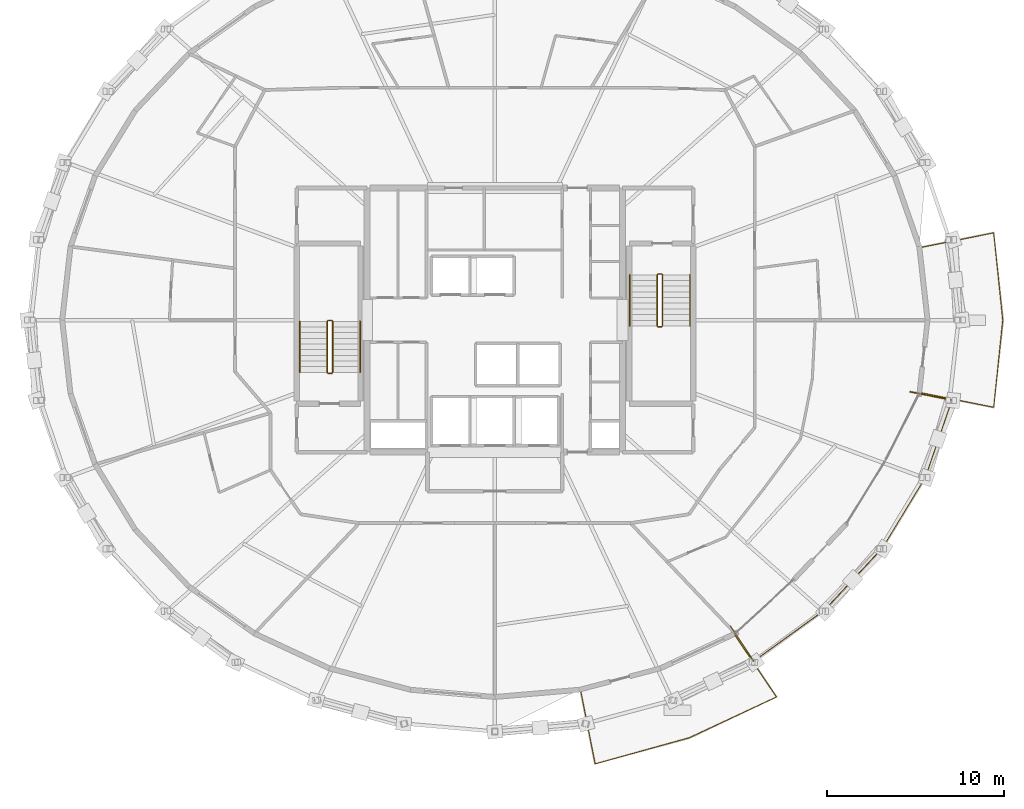
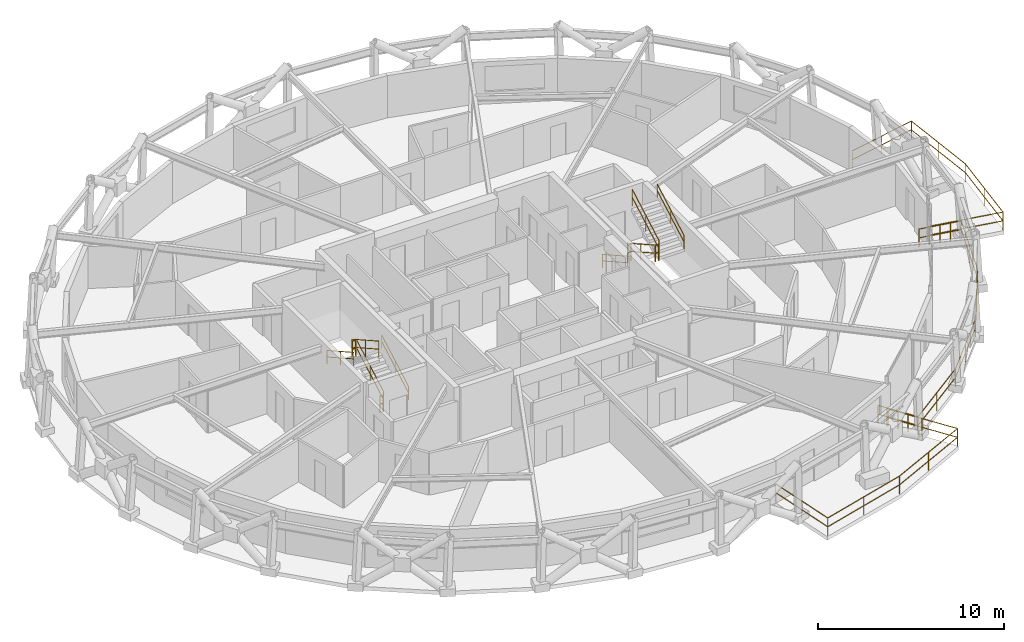
# One storey, part 14 of 14: 17 railings.
"""IFC4 building model written with IfcOpenShell, lengths in metres."""

from ifc_helpers import new_model, si_unit, direction, frame, origin, origin_2d, place, context, subcontext, project, spatial, circle, extrude, material, type_object, element, save


model = new_model("IFC4")

# Units and contexts
model_context = context("Model", 3, precision=1e-05, world=origin(), true_north=direction((0.0, 1.0)))
body_context = subcontext(model_context, "Body", "Model", "MODEL_VIEW")
ifc_project = project(units=[si_unit("LENGTHUNIT", "METRE"), si_unit("AREAUNIT", "SQUARE_METRE"), si_unit("VOLUMEUNIT", "CUBIC_METRE"), si_unit("PLANEANGLEUNIT", "RADIAN"), si_unit("MASSUNIT", "GRAM", prefix="KILO")], contexts=[model_context])

# Site, building, storey
site_placement = place(None, origin())
site = spatial("IfcSite", under=ifc_project, at=site_placement, CompositionType="ELEMENT")
building_placement = place(site_placement, origin())
building = spatial("IfcBuilding", under=site, at=building_placement, Name="Veldorina Hangang Commons", CompositionType="ELEMENT")
storey_placement = place(building_placement, frame((0.0, 0.0, 200.0)))
storey = spatial("IfcBuildingStorey", under=building, at=storey_placement, Name="L52", CompositionType="ELEMENT", Elevation=200.0)

# Railings
ifc_material_1 = material(Name="Glass Laminated Safety Balustrade", Category="glass")
railing_type_1 = type_object("IfcRailingType", Name="RL-BAL-LOGGIA", PredefinedType="BALUSTRADE", material=ifc_material_1)
railing_1_placement = place(storey_placement, frame((45.26953125, 6.760986328125, 0.0)))
element("IfcRailing", 1, at=railing_1_placement, inside=storey, type_object=railing_type_1, Name="L52 sky-garden loggia end balustrade A", PredefinedType="BALUSTRADE", context=body_context, shape_type="SweptSolid", body=[
    extrude(circle(Radius=0.02392578125, at=origin_2d()), frame((0.0, 0.0, 1.17578125), z_axis=(0.552915021628, -0.833237648488, 0.0), x_axis=(0.833237648488, 0.552915021628, 0.0)), (0.0, 0.0, 1.0), 2.400390625),
    extrude(circle(Radius=0.02392578125, at=origin_2d()), frame((0.0, 0.0, 0.60009765625), z_axis=(0.552915021628, -0.833237648488, 0.0), x_axis=(0.833237648488, 0.552915021628, 0.0)), (0.0, 0.0, 1.0), 2.400390625),
    extrude(circle(Radius=0.02099609375, at=origin_2d()), origin(), (0.0, 0.0, 1.0), 1.15185546875),
    extrude(circle(Radius=0.02099609375, at=origin_2d()), frame((0.331787109375, -0.5, 0.0)), (0.0, 0.0, 1.0), 1.15185546875),
    extrude(circle(Radius=0.02099609375, at=origin_2d()), frame((0.66357421875, -1.0, 0.0)), (0.0, 0.0, 1.0), 1.15185546875),
    extrude(circle(Radius=0.02099609375, at=origin_2d()), frame((0.995361328125, -1.5, 0.0)), (0.0, 0.0, 1.0), 1.15185546875),
    extrude(circle(Radius=0.02099609375, at=origin_2d()), frame((1.3271484375, -2.0, 0.0)), (0.0, 0.0, 1.0), 1.15185546875),
])
railing_2_placement = place(storey_placement, frame((55.421875, 19.955810546875, 0.0)))
element("IfcRailing", 2, at=railing_2_placement, inside=storey, type_object=railing_type_1, Name="L52 sky-garden loggia end balustrade B", PredefinedType="BALUSTRADE", context=body_context, shape_type="SweptSolid", body=[
    extrude(circle(Radius=0.02392578125, at=origin_2d()), frame((0.0, 0.0, 1.17578125), z_axis=(0.980537614125, -0.196331320185, 0.0), x_axis=(0.196331320185, 0.980537614125, 0.0)), (0.0, 0.0, 1.0), 2.39990234375),
    extrude(circle(Radius=0.02392578125, at=origin_2d()), frame((0.0, 0.0, 0.60009765625), z_axis=(0.980537614125, -0.196331320185, 0.0), x_axis=(0.196331320185, 0.980537614125, 0.0)), (0.0, 0.0, 1.0), 2.39990234375),
    extrude(circle(Radius=0.02099609375, at=origin_2d()), origin(), (0.0, 0.0, 1.0), 1.15185546875),
    extrude(circle(Radius=0.02099609375, at=origin_2d()), frame((0.58837890625, -0.11767578125, 0.0)), (0.0, 0.0, 1.0), 1.15185546875),
    extrude(circle(Radius=0.02099609375, at=origin_2d()), frame((1.1767578125, -0.235595703125, 0.0)), (0.0, 0.0, 1.0), 1.15185546875),
    extrude(circle(Radius=0.02099609375, at=origin_2d()), frame((1.764892578125, -0.353515625, 0.0)), (0.0, 0.0, 1.0), 1.15185546875),
    extrude(circle(Radius=0.02099609375, at=origin_2d()), frame((2.353271484375, -0.47119140625, 0.0)), (0.0, 0.0, 1.0), 1.15185546875),
])
railing_3_placement = place(storey_placement, frame((46.5966796875, 4.760986328125, 0.0)))
element("IfcRailing", 3, at=railing_3_placement, inside=storey, type_object=railing_type_1, Name="L52 sky-garden loggia outer balustrade", PredefinedType="BALUSTRADE", context=body_context, shape_type="SweptSolid", body=[
    extrude(circle(Radius=0.02392578125, at=origin_2d()), frame((0.0, 0.0, 1.17578125), z_axis=(0.810710676684, 0.585447007602, 0.0), x_axis=(-0.585447007602, 0.810710676684, 0.0)), (0.0, 0.0, 1.0), 4.912841796875),
    extrude(circle(Radius=0.02392578125, at=origin_2d()), frame((0.0, 0.0, 0.60009765625), z_axis=(0.810710676684, 0.585447007602, 0.0), x_axis=(-0.585447007602, 0.810710676684, 0.0)), (0.0, 0.0, 1.0), 4.912841796875),
    extrude(circle(Radius=0.02392578125, at=origin_2d()), frame((3.98291015625, 2.876220703125, 1.17578125), z_axis=(0.682053273276, 0.731302490365, 0.0), x_axis=(-0.731302490365, 0.682053273276, 0.0)), (0.0, 0.0, 1.0), 4.793701171875),
    extrude(circle(Radius=0.02392578125, at=origin_2d()), frame((3.98291015625, 2.876220703125, 0.60009765625), z_axis=(0.682053273276, 0.731302490365, 0.0), x_axis=(-0.731302490365, 0.682053273276, 0.0)), (0.0, 0.0, 1.0), 4.793701171875),
    extrude(circle(Radius=0.02392578125, at=origin_2d()), frame((7.25244140625, 6.3818359375, 1.17578125), z_axis=(0.519106075958, 0.854709823217, 0.0), x_axis=(-0.854709823217, 0.519106075958, 0.0)), (0.0, 0.0, 1.0), 4.680419921875),
    extrude(circle(Radius=0.02392578125, at=origin_2d()), frame((7.25244140625, 6.3818359375, 0.60009765625), z_axis=(0.519106075958, 0.854709823217, 0.0), x_axis=(-0.854709823217, 0.519106075958, 0.0)), (0.0, 0.0, 1.0), 4.680419921875),
    extrude(circle(Radius=0.02392578125, at=origin_2d()), frame((9.68212890625, 10.38232421875, 1.17578125), z_axis=(0.32586123727, 0.945417608279, 0.0), x_axis=(-0.945417608279, 0.32586123727, 0.0)), (0.0, 0.0, 1.0), 4.592041015625),
    extrude(circle(Radius=0.02392578125, at=origin_2d()), frame((9.68212890625, 10.38232421875, 0.60009765625), z_axis=(0.32586123727, 0.945417608279, 0.0), x_axis=(-0.945417608279, 0.32586123727, 0.0)), (0.0, 0.0, 1.0), 4.592041015625),
    extrude(circle(Radius=0.02099609375, at=origin_2d()), origin(), (0.0, 0.0, 1.0), 1.15185546875),
    extrude(circle(Radius=0.02099609375, at=origin_2d()), frame((1.991455078125, 1.43798828125, 0.0)), (0.0, 0.0, 1.0), 1.15185546875),
    extrude(circle(Radius=0.02099609375, at=origin_2d()), frame((3.98291015625, 2.876220703125, 0.0)), (0.0, 0.0, 1.0), 1.15185546875),
    extrude(circle(Radius=0.02099609375, at=origin_2d()), frame((5.61767578125, 4.62890625, 0.0)), (0.0, 0.0, 1.0), 1.15185546875),
    extrude(circle(Radius=0.02099609375, at=origin_2d()), frame((7.25244140625, 6.3818359375, 0.0)), (0.0, 0.0, 1.0), 1.15185546875),
    extrude(circle(Radius=0.02099609375, at=origin_2d()), frame((8.46728515625, 8.382080078125, 0.0)), (0.0, 0.0, 1.0), 1.15185546875),
    extrude(circle(Radius=0.02099609375, at=origin_2d()), frame((9.68212890625, 10.38232421875, 0.0)), (0.0, 0.0, 1.0), 1.15185546875),
    extrude(circle(Radius=0.02099609375, at=origin_2d()), frame((10.43017578125, 12.552978515625, 0.0)), (0.0, 0.0, 1.0), 1.15185546875),
    extrude(circle(Radius=0.02099609375, at=origin_2d()), frame((11.178466796875, 14.7236328125, 0.0)), (0.0, 0.0, 1.0), 1.15185546875),
])
railing_4_placement = place(storey_placement, frame((36.833984375, 3.127197265625, 0.0)))
element("IfcRailing", 4, at=railing_4_placement, inside=storey, type_object=railing_type_1, Name="L52 planted tree balcony 1 balustrade", PredefinedType="BALUSTRADE", context=body_context, shape_type="SweptSolid", body=[
    extrude(circle(Radius=0.02392578125, at=origin_2d()), frame((0.0, 0.0, 1.17578125), z_axis=(0.193743964494, -0.981052127169, 0.0), x_axis=(0.981052127169, 0.193743964494, 0.0)), (0.0, 0.0, 1.0), 4.236572265625),
    extrude(circle(Radius=0.02392578125, at=origin_2d()), frame((0.0, 0.0, 0.60009765625), z_axis=(0.193743964494, -0.981052127169, 0.0), x_axis=(0.981052127169, 0.193743964494, 0.0)), (0.0, 0.0, 1.0), 4.236572265625),
    extrude(circle(Radius=0.02392578125, at=origin_2d()), frame((0.82080078125, -4.15625, 1.17578125), z_axis=(0.963481691259, 0.267774215726, 0.0), x_axis=(-0.267774215726, 0.963481691259, 0.0)), (0.0, 0.0, 1.0), 5.506103515625),
    extrude(circle(Radius=0.02392578125, at=origin_2d()), frame((0.82080078125, -4.15625, 0.60009765625), z_axis=(0.963481691259, 0.267774215726, 0.0), x_axis=(-0.267774215726, 0.963481691259, 0.0)), (0.0, 0.0, 1.0), 5.506103515625),
    extrude(circle(Radius=0.02392578125, at=origin_2d()), frame((6.125732421875, -2.681884765625, 1.17578125), z_axis=(0.906150978435, 0.422954376122, 0.0), x_axis=(-0.422954376122, 0.906150978435, 0.0)), (0.0, 0.0, 1.0), 5.4306640625),
    extrude(circle(Radius=0.02392578125, at=origin_2d()), frame((6.125732421875, -2.681884765625, 0.60009765625), z_axis=(0.906150978435, 0.422954376122, 0.0), x_axis=(-0.422954376122, 0.906150978435, 0.0)), (0.0, 0.0, 1.0), 5.4306640625),
    extrude(circle(Radius=0.02392578125, at=origin_2d()), frame((11.046630859375, -0.385009765625, 1.17578125), z_axis=(-0.557409791201, 0.830237511001, 0.0), x_axis=(-0.830237511001, -0.557409791201, 0.0)), (0.0, 0.0, 1.0), 4.237060546875),
    extrude(circle(Radius=0.02392578125, at=origin_2d()), frame((11.046630859375, -0.385009765625, 0.60009765625), z_axis=(-0.557409791201, 0.830237511001, 0.0), x_axis=(-0.830237511001, -0.557409791201, 0.0)), (0.0, 0.0, 1.0), 4.237060546875),
    extrude(circle(Radius=0.02099609375, at=origin_2d()), origin(), (0.0, 0.0, 1.0), 1.15185546875),
    extrude(circle(Radius=0.02099609375, at=origin_2d()), frame((0.410400390625, -2.078125, 0.0)), (0.0, 0.0, 1.0), 1.15185546875),
    extrude(circle(Radius=0.02099609375, at=origin_2d()), frame((0.82080078125, -4.15625, 0.0)), (0.0, 0.0, 1.0), 1.15185546875),
    extrude(circle(Radius=0.02099609375, at=origin_2d()), frame((3.47314453125, -3.4189453125, 0.0)), (0.0, 0.0, 1.0), 1.15185546875),
    extrude(circle(Radius=0.02099609375, at=origin_2d()), frame((6.125732421875, -2.681884765625, 0.0)), (0.0, 0.0, 1.0), 1.15185546875),
    extrude(circle(Radius=0.02099609375, at=origin_2d()), frame((8.586181640625, -1.533447265625, 0.0)), (0.0, 0.0, 1.0), 1.15185546875),
    extrude(circle(Radius=0.02099609375, at=origin_2d()), frame((11.046630859375, -0.385009765625, 0.0)), (0.0, 0.0, 1.0), 1.15185546875),
    extrude(circle(Radius=0.02099609375, at=origin_2d()), frame((9.86572265625, 1.3740234375, 0.0)), (0.0, 0.0, 1.0), 1.15185546875),
    extrude(circle(Radius=0.02099609375, at=origin_2d()), frame((8.684814453125, 3.1328125, 0.0)), (0.0, 0.0, 1.0), 1.15185546875),
])
railing_5_placement = place(storey_placement, frame((55.98486328125, 19.910888671875, 0.0)))
element("IfcRailing", 5, at=railing_5_placement, inside=storey, type_object=railing_type_1, Name="L52 planted tree balcony 2 balustrade", PredefinedType="BALUSTRADE", context=body_context, shape_type="SweptSolid", body=[
    extrude(circle(Radius=0.02392578125, at=origin_2d()), frame((0.0, 0.0, 1.17578125), z_axis=(0.980431715204, -0.19685947227, 0.0), x_axis=(0.19685947227, 0.980431715204, 0.0)), (0.0, 0.0, 1.0), 4.2314453125),
    extrude(circle(Radius=0.02392578125, at=origin_2d()), frame((0.0, 0.0, 0.60009765625), z_axis=(0.980431715204, -0.19685947227, 0.0), x_axis=(0.19685947227, 0.980431715204, 0.0)), (0.0, 0.0, 1.0), 4.2314453125),
    extrude(circle(Radius=0.02392578125, at=origin_2d()), frame((4.148681640625, -0.8330078125, 1.17578125), z_axis=(0.102429482502, 0.994740268168, 0.0), x_axis=(-0.994740268168, 0.102429482502, 0.0)), (0.0, 0.0, 1.0), 4.9482421875),
    extrude(circle(Radius=0.02392578125, at=origin_2d()), frame((4.148681640625, -0.8330078125, 0.60009765625), z_axis=(0.102429482502, 0.994740268168, 0.0), x_axis=(-0.994740268168, 0.102429482502, 0.0)), (0.0, 0.0, 1.0), 4.9482421875),
    extrude(circle(Radius=0.02392578125, at=origin_2d()), frame((4.655517578125, 4.089111328125, 1.17578125), z_axis=(-0.102429482502, 0.994740268168, 0.0), x_axis=(-0.994740268168, -0.102429482502, 0.0)), (0.0, 0.0, 1.0), 4.9482421875),
    extrude(circle(Radius=0.02392578125, at=origin_2d()), frame((4.655517578125, 4.089111328125, 0.60009765625), z_axis=(-0.102429482502, 0.994740268168, 0.0), x_axis=(-0.994740268168, -0.102429482502, 0.0)), (0.0, 0.0, 1.0), 4.9482421875),
    extrude(circle(Radius=0.02392578125, at=origin_2d()), frame((4.148681640625, 9.01123046875, 1.17578125), z_axis=(-0.980431715204, -0.19685947227, 0.0), x_axis=(0.19685947227, -0.980431715204, 0.0)), (0.0, 0.0, 1.0), 4.2314453125),
    extrude(circle(Radius=0.02392578125, at=origin_2d()), frame((4.148681640625, 9.01123046875, 0.60009765625), z_axis=(-0.980431715204, -0.19685947227, 0.0), x_axis=(0.19685947227, -0.980431715204, 0.0)), (0.0, 0.0, 1.0), 4.2314453125),
    extrude(circle(Radius=0.02099609375, at=origin_2d()), origin(), (0.0, 0.0, 1.0), 1.15185546875),
    extrude(circle(Radius=0.02099609375, at=origin_2d()), frame((2.07421875, -0.41650390625, 0.0)), (0.0, 0.0, 1.0), 1.15185546875),
    extrude(circle(Radius=0.02099609375, at=origin_2d()), frame((4.148681640625, -0.8330078125, 0.0)), (0.0, 0.0, 1.0), 1.15185546875),
    extrude(circle(Radius=0.02099609375, at=origin_2d()), frame((4.402099609375, 1.6279296875, 0.0)), (0.0, 0.0, 1.0), 1.15185546875),
    extrude(circle(Radius=0.02099609375, at=origin_2d()), frame((4.655517578125, 4.089111328125, 0.0)), (0.0, 0.0, 1.0), 1.15185546875),
    extrude(circle(Radius=0.02099609375, at=origin_2d()), frame((4.402099609375, 6.55029296875, 0.0)), (0.0, 0.0, 1.0), 1.15185546875),
    extrude(circle(Radius=0.02099609375, at=origin_2d()), frame((4.148681640625, 9.01123046875, 0.0)), (0.0, 0.0, 1.0), 1.15185546875),
    extrude(circle(Radius=0.02099609375, at=origin_2d()), frame((2.07421875, 8.5947265625, 0.0)), (0.0, 0.0, 1.0), 1.15185546875),
    extrude(circle(Radius=0.02099609375, at=origin_2d()), frame((0.0, 8.17822265625, 0.0)), (0.0, 0.0, 1.0), 1.15185546875),
])
ifc_material_2 = material(Name="Steel Painted Balustrade", Category="steel")
railing_type_2 = type_object("IfcRailingType", Name="RL-GRD-STAIR", PredefinedType="GUARDRAIL", material=ifc_material_2)
railing_6_placement = place(storey_placement, frame((22.85009765625, 21.050048828125, 0.179931640625)))
element("IfcRailing", 6, at=railing_6_placement, inside=storey, type_object=railing_type_2, Name="L52 ST-1 stair guard 1", PredefinedType="GUARDRAIL", context=body_context, shape_type="SweptSolid", body=[
    extrude(circle(Radius=0.02392578125, at=origin_2d()), frame((0.0, 0.0, 1.076171875), z_axis=(0.0, 0.87155185771, 0.490303333991), x_axis=(-1.0, 0.0, 0.0)), (0.0, 0.0, 1.0), 3.30419921875),
    extrude(circle(Radius=0.02392578125, at=origin_2d()), frame((0.0, 0.0, 0.550048828125), z_axis=(0.0, 0.87155185771, 0.490303333991), x_axis=(-1.0, 0.0, 0.0)), (0.0, 0.0, 1.0), 3.30419921875),
    extrude(circle(Radius=0.02099609375, at=origin_2d()), origin(), (0.0, 0.0, 1.0), 1.052001953125),
    extrude(circle(Radius=0.02099609375, at=origin_2d()), frame((0.0, 1.43994140625, 0.81005859375)), (0.0, 0.0, 1.0), 1.052001953125),
    extrude(circle(Radius=0.02099609375, at=origin_2d()), frame((0.0, 2.8798828125, 1.6201171875)), (0.0, 0.0, 1.0), 1.052001953125),
])
railing_7_placement = place(storey_placement, frame((22.800048828125, 23.97998046875, 1.800048828125)))
element("IfcRailing", 7, at=railing_7_placement, inside=storey, type_object=railing_type_2, Name="L52 ST-1 stair guard 2", PredefinedType="GUARDRAIL", context=body_context, shape_type="SweptSolid", body=[
    extrude(circle(Radius=0.02392578125, at=origin_2d()), frame((0.0, 0.0, 1.076171875), z_axis=(-1.0, 0.0, 0.0), x_axis=(0.0, -1.0, 0.0)), (0.0, 0.0, 1.0), 0.199951171875),
    extrude(circle(Radius=0.02392578125, at=origin_2d()), frame((0.0, 0.0, 0.550048828125), z_axis=(-1.0, 0.0, 0.0), x_axis=(0.0, -1.0, 0.0)), (0.0, 0.0, 1.0), 0.199951171875),
    extrude(circle(Radius=0.02099609375, at=origin_2d()), origin(), (0.0, 0.0, 1.0), 1.052001953125),
    extrude(circle(Radius=0.02099609375, at=origin_2d()), frame((-0.199951171875, 0.0, 0.0)), (0.0, 0.0, 1.0), 1.052001953125),
])
railing_8_placement = place(storey_placement, frame((22.550048828125, 23.929931640625, 1.97998046875)))
element("IfcRailing", 8, at=railing_8_placement, inside=storey, type_object=railing_type_2, Name="L52 ST-1 stair guard 3", PredefinedType="GUARDRAIL", context=body_context, shape_type="SweptSolid", body=[
    extrude(circle(Radius=0.02392578125, at=origin_2d()), frame((0.0, 0.0, 1.076171875), z_axis=(0.0, -0.87155185771, 0.490303333991), x_axis=(1.0, 0.0, 0.0)), (0.0, 0.0, 1.0), 3.30419921875),
    extrude(circle(Radius=0.02392578125, at=origin_2d()), frame((0.0, 0.0, 0.550048828125), z_axis=(0.0, -0.87155185771, 0.490303333991), x_axis=(1.0, 0.0, 0.0)), (0.0, 0.0, 1.0), 3.30419921875),
    extrude(circle(Radius=0.02099609375, at=origin_2d()), origin(), (0.0, 0.0, 1.0), 1.052001953125),
    extrude(circle(Radius=0.02099609375, at=origin_2d()), frame((0.0, -1.43994140625, 0.81005859375)), (0.0, 0.0, 1.0), 1.052001953125),
    extrude(circle(Radius=0.02099609375, at=origin_2d()), frame((0.0, -2.8798828125, 1.6201171875)), (0.0, 0.0, 1.0), 1.052001953125),
])
railing_9_placement = place(storey_placement, frame((22.800048828125, 21.0, 0.0)))
element("IfcRailing", 9, at=railing_9_placement, inside=storey, type_object=railing_type_2, Name="L52 ST-1 stair guard 4", PredefinedType="GUARDRAIL", context=body_context, shape_type="SweptSolid", body=[
    extrude(circle(Radius=0.02392578125, at=origin_2d()), frame((0.0, 0.0, 1.076171875), z_axis=(-1.0, 0.0, 0.0), x_axis=(0.0, -1.0, 0.0)), (0.0, 0.0, 1.0), 0.199951171875),
    extrude(circle(Radius=0.02392578125, at=origin_2d()), frame((0.0, 0.0, 0.550048828125), z_axis=(-1.0, 0.0, 0.0), x_axis=(0.0, -1.0, 0.0)), (0.0, 0.0, 1.0), 0.199951171875),
    extrude(circle(Radius=0.02099609375, at=origin_2d()), origin(), (0.0, 0.0, 1.0), 1.052001953125),
    extrude(circle(Radius=0.02099609375, at=origin_2d()), frame((-0.199951171875, 0.0, 0.0)), (0.0, 0.0, 1.0), 1.052001953125),
])
railing_10_placement = place(storey_placement, frame((41.14990234375, 26.550048828125, 0.179931640625)))
element("IfcRailing", 10, at=railing_10_placement, inside=storey, type_object=railing_type_2, Name="L52 ST-2 stair guard 1", PredefinedType="GUARDRAIL", context=body_context, shape_type="SweptSolid", body=[
    extrude(circle(Radius=0.02392578125, at=origin_2d()), frame((0.0, 0.0, 1.076171875), z_axis=(0.0, -0.871569617843, 0.490271762652), x_axis=(1.0, 0.0, 0.0)), (0.0, 0.0, 1.0), 3.304443359375),
    extrude(circle(Radius=0.02392578125, at=origin_2d()), frame((0.0, 0.0, 0.550048828125), z_axis=(0.0, -0.871569617843, 0.490271762652), x_axis=(1.0, 0.0, 0.0)), (0.0, 0.0, 1.0), 3.304443359375),
    extrude(circle(Radius=0.02099609375, at=origin_2d()), origin(), (0.0, 0.0, 1.0), 1.052001953125),
    extrude(circle(Radius=0.02099609375, at=origin_2d()), frame((0.0, -1.43994140625, 0.81005859375)), (0.0, 0.0, 1.0), 1.052001953125),
    extrude(circle(Radius=0.02099609375, at=origin_2d()), frame((0.0, -2.880126953125, 1.6201171875)), (0.0, 0.0, 1.0), 1.052001953125),
])
railing_11_placement = place(storey_placement, frame((41.199951171875, 23.6201171875, 1.800048828125)))
element("IfcRailing", 11, at=railing_11_placement, inside=storey, type_object=railing_type_2, Name="L52 ST-2 stair guard 2", PredefinedType="GUARDRAIL", context=body_context, shape_type="SweptSolid", body=[
    extrude(circle(Radius=0.02392578125, at=origin_2d()), frame((0.0, 0.0, 1.076171875), z_axis=(1.0, 0.0, 0.0), x_axis=(0.0, 1.0, 0.0)), (0.0, 0.0, 1.0), 0.199951171875),
    extrude(circle(Radius=0.02392578125, at=origin_2d()), frame((0.0, 0.0, 0.550048828125), z_axis=(1.0, 0.0, 0.0), x_axis=(0.0, 1.0, 0.0)), (0.0, 0.0, 1.0), 0.199951171875),
    extrude(circle(Radius=0.02099609375, at=origin_2d()), origin(), (0.0, 0.0, 1.0), 1.052001953125),
    extrude(circle(Radius=0.02099609375, at=origin_2d()), frame((0.199951171875, 0.0, 0.0)), (0.0, 0.0, 1.0), 1.052001953125),
])
railing_12_placement = place(storey_placement, frame((41.449951171875, 23.669921875, 1.97998046875)))
element("IfcRailing", 12, at=railing_12_placement, inside=storey, type_object=railing_type_2, Name="L52 ST-2 stair guard 3", PredefinedType="GUARDRAIL", context=body_context, shape_type="SweptSolid", body=[
    extrude(circle(Radius=0.02392578125, at=origin_2d()), frame((0.0, 0.0, 1.076171875), z_axis=(0.0, 0.871569617843, 0.490271762652), x_axis=(-1.0, 0.0, 0.0)), (0.0, 0.0, 1.0), 3.304443359375),
    extrude(circle(Radius=0.02392578125, at=origin_2d()), frame((0.0, 0.0, 0.550048828125), z_axis=(0.0, 0.871569617843, 0.490271762652), x_axis=(-1.0, 0.0, 0.0)), (0.0, 0.0, 1.0), 3.304443359375),
    extrude(circle(Radius=0.02099609375, at=origin_2d()), origin(), (0.0, 0.0, 1.0), 1.052001953125),
    extrude(circle(Radius=0.02099609375, at=origin_2d()), frame((0.0, 1.43994140625, 0.81005859375)), (0.0, 0.0, 1.0), 1.052001953125),
    extrude(circle(Radius=0.02099609375, at=origin_2d()), frame((0.0, 2.880126953125, 1.6201171875)), (0.0, 0.0, 1.0), 1.052001953125),
])
railing_13_placement = place(storey_placement, frame((41.199951171875, 26.60009765625, 0.0)))
element("IfcRailing", 13, at=railing_13_placement, inside=storey, type_object=railing_type_2, Name="L52 ST-2 stair guard 4", PredefinedType="GUARDRAIL", context=body_context, shape_type="SweptSolid", body=[
    extrude(circle(Radius=0.02392578125, at=origin_2d()), frame((0.0, 0.0, 1.076171875), z_axis=(1.0, 0.0, 0.0), x_axis=(0.0, 1.0, 0.0)), (0.0, 0.0, 1.0), 0.199951171875),
    extrude(circle(Radius=0.02392578125, at=origin_2d()), frame((0.0, 0.0, 0.550048828125), z_axis=(1.0, 0.0, 0.0), x_axis=(0.0, 1.0, 0.0)), (0.0, 0.0, 1.0), 0.199951171875),
    extrude(circle(Radius=0.02099609375, at=origin_2d()), origin(), (0.0, 0.0, 1.0), 1.052001953125),
    extrude(circle(Radius=0.02099609375, at=origin_2d()), frame((0.199951171875, 0.0, 0.0)), (0.0, 0.0, 1.0), 1.052001953125),
])
ifc_material_3 = material(Name="Stainless Steel Brushed 316", Category="steel")
railing_type_3 = type_object("IfcRailingType", Name="RL-HND-STAIR", PredefinedType="HANDRAIL", material=ifc_material_3)
railing_14_placement = place(storey_placement, frame((24.39990234375, 21.050048828125, 0.179931640625)))
element("IfcRailing", 14, at=railing_14_placement, inside=storey, type_object=railing_type_3, Name="L52 ST-1 stair handrail 1", PredefinedType="HANDRAIL", context=body_context, shape_type="SweptSolid", body=[
    extrude(circle(Radius=0.02392578125, at=origin_2d()), frame((0.0, 0.0, 0.8759765625), z_axis=(0.0, 0.87155185771, 0.490303333991), x_axis=(-1.0, 0.0, 0.0)), (0.0, 0.0, 1.0), 3.30419921875),
    extrude(circle(Radius=0.02392578125, at=origin_2d()), frame((0.0, 0.0, 0.449951171875), z_axis=(0.0, 0.87155185771, 0.490303333991), x_axis=(-1.0, 0.0, 0.0)), (0.0, 0.0, 1.0), 3.30419921875),
    extrude(circle(Radius=0.02099609375, at=origin_2d()), origin(), (0.0, 0.0, 1.0), 0.851806640625),
    extrude(circle(Radius=0.02099609375, at=origin_2d()), frame((0.0, 1.43994140625, 0.81005859375)), (0.0, 0.0, 1.0), 0.851806640625),
    extrude(circle(Radius=0.02099609375, at=origin_2d()), frame((0.0, 2.8798828125, 1.6201171875)), (0.0, 0.0, 1.0), 0.851806640625),
])
railing_15_placement = place(storey_placement, frame((21.0, 23.929931640625, 1.97998046875)))
element("IfcRailing", 15, at=railing_15_placement, inside=storey, type_object=railing_type_3, Name="L52 ST-1 stair handrail 2", PredefinedType="HANDRAIL", context=body_context, shape_type="SweptSolid", body=[
    extrude(circle(Radius=0.02392578125, at=origin_2d()), frame((0.0, 0.0, 0.8759765625), z_axis=(0.0, -0.87155185771, 0.490303333991), x_axis=(1.0, 0.0, 0.0)), (0.0, 0.0, 1.0), 3.30419921875),
    extrude(circle(Radius=0.02392578125, at=origin_2d()), frame((0.0, 0.0, 0.449951171875), z_axis=(0.0, -0.87155185771, 0.490303333991), x_axis=(1.0, 0.0, 0.0)), (0.0, 0.0, 1.0), 3.30419921875),
    extrude(circle(Radius=0.02099609375, at=origin_2d()), origin(), (0.0, 0.0, 1.0), 0.851806640625),
    extrude(circle(Radius=0.02099609375, at=origin_2d()), frame((0.0, -1.43994140625, 0.81005859375)), (0.0, 0.0, 1.0), 0.851806640625),
    extrude(circle(Radius=0.02099609375, at=origin_2d()), frame((0.0, -2.8798828125, 1.6201171875)), (0.0, 0.0, 1.0), 0.851806640625),
])
railing_16_placement = place(storey_placement, frame((39.60009765625, 26.550048828125, 0.179931640625)))
element("IfcRailing", 16, at=railing_16_placement, inside=storey, type_object=railing_type_3, Name="L52 ST-2 stair handrail 1", PredefinedType="HANDRAIL", context=body_context, shape_type="SweptSolid", body=[
    extrude(circle(Radius=0.02392578125, at=origin_2d()), frame((0.0, 0.0, 0.8759765625), z_axis=(0.0, -0.871569617843, 0.490271762652), x_axis=(1.0, 0.0, 0.0)), (0.0, 0.0, 1.0), 3.304443359375),
    extrude(circle(Radius=0.02392578125, at=origin_2d()), frame((0.0, 0.0, 0.449951171875), z_axis=(0.0, -0.871569617843, 0.490271762652), x_axis=(1.0, 0.0, 0.0)), (0.0, 0.0, 1.0), 3.304443359375),
    extrude(circle(Radius=0.02099609375, at=origin_2d()), origin(), (0.0, 0.0, 1.0), 0.851806640625),
    extrude(circle(Radius=0.02099609375, at=origin_2d()), frame((0.0, -1.43994140625, 0.81005859375)), (0.0, 0.0, 1.0), 0.851806640625),
    extrude(circle(Radius=0.02099609375, at=origin_2d()), frame((0.0, -2.880126953125, 1.6201171875)), (0.0, 0.0, 1.0), 0.851806640625),
])
railing_17_placement = place(storey_placement, frame((43.0, 23.669921875, 1.97998046875)))
element("IfcRailing", 17, at=railing_17_placement, inside=storey, type_object=railing_type_3, Name="L52 ST-2 stair handrail 2", PredefinedType="HANDRAIL", context=body_context, shape_type="SweptSolid", body=[
    extrude(circle(Radius=0.02392578125, at=origin_2d()), frame((0.0, 0.0, 0.8759765625), z_axis=(0.0, 0.871569617843, 0.490271762652), x_axis=(-1.0, 0.0, 0.0)), (0.0, 0.0, 1.0), 3.304443359375),
    extrude(circle(Radius=0.02392578125, at=origin_2d()), frame((0.0, 0.0, 0.449951171875), z_axis=(0.0, 0.871569617843, 0.490271762652), x_axis=(-1.0, 0.0, 0.0)), (0.0, 0.0, 1.0), 3.304443359375),
    extrude(circle(Radius=0.02099609375, at=origin_2d()), origin(), (0.0, 0.0, 1.0), 0.851806640625),
    extrude(circle(Radius=0.02099609375, at=origin_2d()), frame((0.0, 1.43994140625, 0.81005859375)), (0.0, 0.0, 1.0), 0.851806640625),
    extrude(circle(Radius=0.02099609375, at=origin_2d()), frame((0.0, 2.880126953125, 1.6201171875)), (0.0, 0.0, 1.0), 0.851806640625),
])

save(model, "model.ifc")
